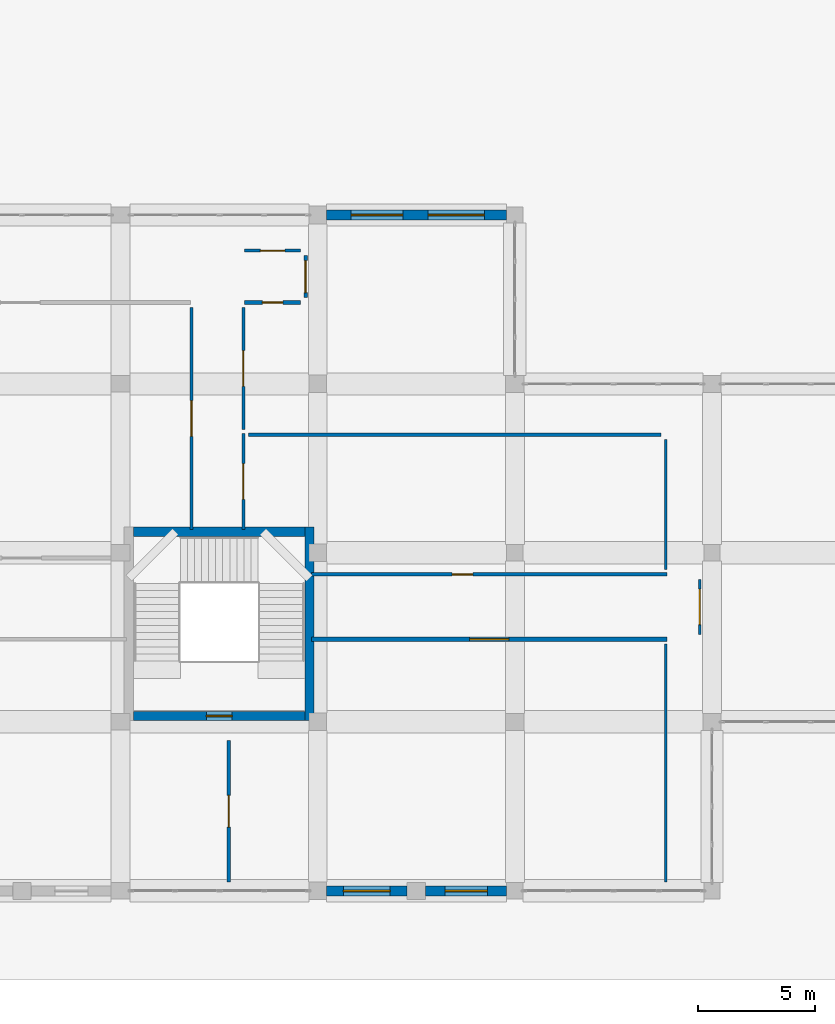
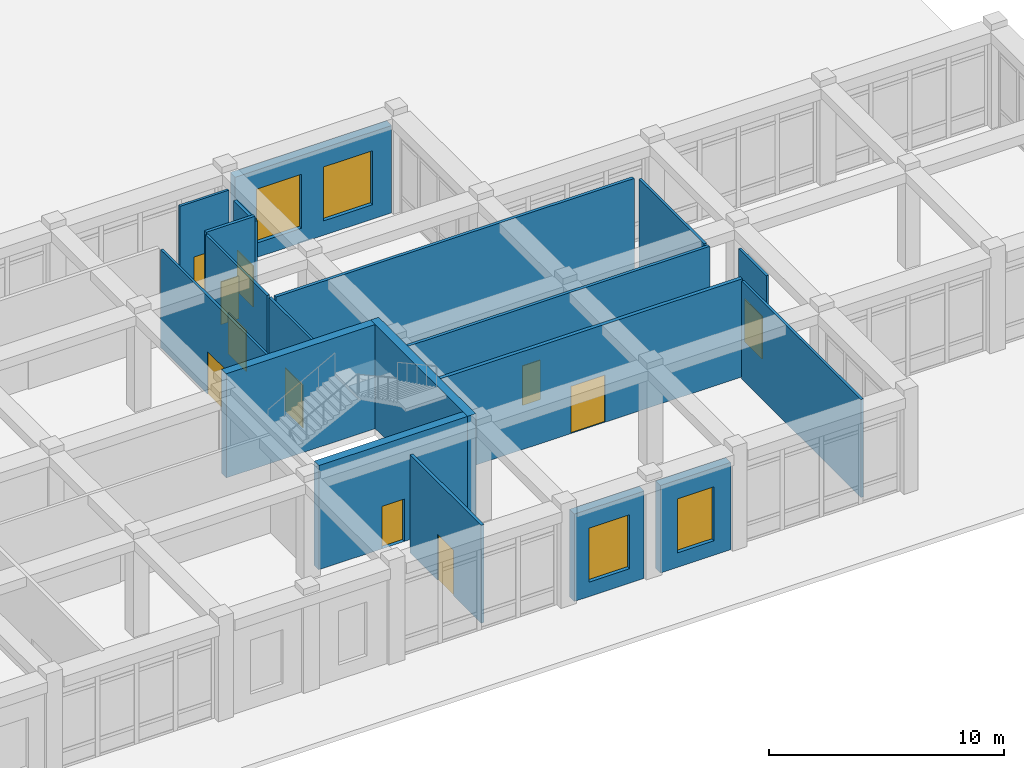
# One storey, part 76 of 84: 19 walls, 11 doors, 4 windows, 15 openings.
"""IFC4 building model written with IfcOpenShell, lengths in metres."""

from ifc_helpers import new_model, si_unit, derived_unit, direction, frame, frame_2d, origin, place, context, subcontext, project, spatial, rectangle, extrude, material, layer, layer_set, type_object, element, fill, save


model = new_model("IFC4")

# Units and contexts
model_context = context("Model", 3, precision=1e-05, world=origin(), true_north=direction((0.0, 1.0)))
body_context = subcontext(model_context, "Body", "Model", "MODEL_VIEW")
ifc_project = project(units=[si_unit("LENGTHUNIT", "METRE"), si_unit("AREAUNIT", "SQUARE_METRE"), si_unit("VOLUMEUNIT", "CUBIC_METRE"), si_unit("PLANEANGLEUNIT", "RADIAN"), si_unit("MASSUNIT", "GRAM", prefix="KILO"), derived_unit("THERMALTRANSMITTANCEUNIT", [(si_unit("POWERUNIT", "WATT"), 1), (si_unit("LENGTHUNIT", "METRE"), -2), (si_unit("THERMODYNAMICTEMPERATUREUNIT", "KELVIN"), -1)])], contexts=[model_context])

# Site, building, storey
site_placement = place(None, origin())
site = spatial("IfcSite", under=ifc_project, at=site_placement, CompositionType="ELEMENT")
building_placement = place(site_placement, origin())
building = spatial("IfcBuilding", under=site, at=building_placement, Name="Veybourne Emporium", CompositionType="ELEMENT")
storey_placement = place(building_placement, origin())
storey = spatial("IfcBuildingStorey", under=building, at=storey_placement, Name="L00", CompositionType="ELEMENT", Elevation=0.0)

# Wall, opening, window
ifc_material_1 = material(Name="Honed Black Granite Plinth", Category="masonry")
ifc_layer_1 = layer(ifc_material_1, 0.419921875)
ifc_layer_set_1 = layer_set([ifc_layer_1], Name="Honed Black Granite Plinth")
wall_type_1 = type_object("IfcWallType", Name="ExtWall_EW-02", PredefinedType="SOLIDWALL", material=ifc_layer_set_1)
wall_1_placement = place(storey_placement, frame((142.449951171875, 0.0, 0.0), z_axis=(0.0, 0.0, 1.0), x_axis=(-1.0, 0.0, 0.0)))
wall_1 = element("IfcWall", 1, at=wall_1_placement, inside=storey, type_object=wall_type_1, Name="L00 Portland stone external wall 067A", PredefinedType="SOLIDWALL", context=body_context, shape_type="SweptSolid", body=[
    extrude(rectangle(XDim=3.449951171875, YDim=0.419921875, at=frame_2d((1.72509765625, 0.0))), origin(), (0.0, 0.0, 1.0), 4.530029296875),
])
opening_1_placement = place(wall_1_placement, frame((0.824951171875, 0.0, 0.75)))
opening_1 = element("IfcOpeningElement", 2, at=opening_1_placement, cuts=wall_1, Name="Opening W-44", PredefinedType="OPENING", context=body_context, shape_type="SweptSolid", body=[
    extrude(rectangle(XDim=1.800048828125, YDim=2.800048828125, at=frame_2d((0.89990234375, 1.39990234375))), frame((0.0, 0.22998046875, 0.0), z_axis=(0.0, -1.0, 0.0), x_axis=(1.0, 0.0, 0.0)), (0.0, 0.0, 1.0), 0.4599609375),
])
ifc_material_2 = material(Name="Low-E Triple Glazing", Category="glass")
window_type_1 = type_object("IfcWindowType", Name="Win_W-44", PartitioningType="DOUBLE_PANEL_VERTICAL", PredefinedType="WINDOW", material=ifc_material_2)
window_1_placement = place(opening_1_placement, origin())
window_1 = element("IfcWindow", 3, at=window_1_placement, inside=storey, type_object=window_type_1, Name="L00 tripartite bronze casement window W-44 (67A)", OverallHeight=2.800048828125, OverallWidth=1.800048828125, PartitioningType="DOUBLE_PANEL_VERTICAL", PredefinedType="WINDOW", context=body_context, shape_type="SweptSolid", body=[
    extrude(rectangle(XDim=1.800048828125, YDim=2.800048828125, at=frame_2d((0.89990234375, 1.39990234375))), frame((0.0, 0.030029296875, 0.0), z_axis=(0.0, -1.0, 0.0), x_axis=(1.0, 0.0, 0.0)), (0.0, 0.0, 1.0), 0.06005859375),
])
fill(opening_1, window_1)

wall_2_placement = place(storey_placement, frame((138.199951171875, 0.0, 0.0), z_axis=(0.0, 0.0, 1.0), x_axis=(-1.0, 0.0, 0.0)))
wall_2 = element("IfcWall", 4, at=wall_2_placement, inside=storey, type_object=wall_type_1, Name="L00 Portland stone external wall 067B", PredefinedType="SOLIDWALL", context=body_context, shape_type="SweptSolid", body=[
    extrude(rectangle(XDim=3.425048828125, YDim=0.419921875, at=frame_2d((1.71240234375, 0.0))), origin(), (0.0, 0.0, 1.0), 4.530029296875),
])
opening_2_placement = place(wall_2_placement, frame((0.71240234375, 0.0, 0.75)))
opening_2 = element("IfcOpeningElement", 5, at=opening_2_placement, cuts=wall_2, Name="Opening W-45", PredefinedType="OPENING", context=body_context, shape_type="SweptSolid", body=[
    extrude(rectangle(XDim=2.0, YDim=2.800048828125, at=frame_2d((1.0, 1.39990234375))), frame((0.0, 0.22998046875, 0.0), z_axis=(0.0, -1.0, 0.0), x_axis=(1.0, 0.0, 0.0)), (0.0, 0.0, 1.0), 0.4599609375),
])
window_type_2 = type_object("IfcWindowType", Name="Win_W-45", PartitioningType="TRIPLE_PANEL_VERTICAL", PredefinedType="WINDOW", material=ifc_material_2)
window_2_placement = place(opening_2_placement, origin())
window_2 = element("IfcWindow", 6, at=window_2_placement, inside=storey, type_object=window_type_2, Name="L00 tripartite bronze casement window W-45 (67B)", OverallHeight=2.800048828125, OverallWidth=2.0, PartitioningType="TRIPLE_PANEL_VERTICAL", PredefinedType="WINDOW", context=body_context, shape_type="SweptSolid", body=[
    extrude(rectangle(XDim=2.0, YDim=2.800048828125, at=frame_2d((1.0, 1.39990234375))), frame((0.0, 0.030029296875, 0.0), z_axis=(0.0, -1.0, 0.0), x_axis=(1.0, 0.0, 0.0)), (0.0, 0.0, 1.0), 0.06005859375),
])
fill(opening_2, window_2)

# Wall, openings, windows
wall_3_placement = place(storey_placement, frame((134.77490234375, 28.800048828125, 0.0), z_axis=(0.0, 0.0, 1.0), x_axis=(1.0, 0.0, 0.0)))
wall_3 = element("IfcWall", 7, at=wall_3_placement, inside=storey, type_object=wall_type_1, Name="L00 Portland stone external wall 069", PredefinedType="SOLIDWALL", context=body_context, shape_type="SweptSolid", body=[
    extrude(rectangle(XDim=7.675048828125, YDim=0.419921875, at=frame_2d((3.83740234375, 0.0))), origin(), (0.0, 0.0, 1.0), 4.530029296875),
])
opening_3_placement = place(wall_3_placement, frame((1.049072265625, 0.0, 0.75)))
opening_3 = element("IfcOpeningElement", 8, at=opening_3_placement, cuts=wall_3, Name="Opening W-46", PredefinedType="OPENING", context=body_context, shape_type="SweptSolid", body=[
    extrude(rectangle(XDim=2.199951171875, YDim=2.800048828125, at=frame_2d((1.10009765625, 1.39990234375))), frame((0.0, 0.22998046875, 0.0), z_axis=(0.0, -1.0, 0.0), x_axis=(1.0, 0.0, 0.0)), (0.0, 0.0, 1.0), 0.4599609375),
])
opening_4_placement = place(wall_3_placement, frame((4.325927734375, 0.0, 0.75)))
opening_4 = element("IfcOpeningElement", 9, at=opening_4_placement, cuts=wall_3, Name="Opening W-47", PredefinedType="OPENING", context=body_context, shape_type="SweptSolid", body=[
    extrude(rectangle(XDim=2.39990234375, YDim=2.800048828125, at=frame_2d((1.199951171875, 1.39990234375))), frame((0.0, 0.22998046875, 0.0), z_axis=(0.0, -1.0, 0.0), x_axis=(1.0, 0.0, 0.0)), (0.0, 0.0, 1.0), 0.4599609375),
])
window_type_3 = type_object("IfcWindowType", Name="Win_W-46", PartitioningType="TRIPLE_PANEL_VERTICAL", PredefinedType="WINDOW", material=ifc_material_2)
window_3_placement = place(opening_3_placement, origin())
window_3 = element("IfcWindow", 10, at=window_3_placement, inside=storey, type_object=window_type_3, Name="L00 tripartite bronze casement window W-46 (69.1)", OverallHeight=2.800048828125, OverallWidth=2.199951171875, PartitioningType="TRIPLE_PANEL_VERTICAL", PredefinedType="WINDOW", context=body_context, shape_type="SweptSolid", body=[
    extrude(rectangle(XDim=2.199951171875, YDim=2.800048828125, at=frame_2d((1.10009765625, 1.39990234375))), frame((0.0, 0.030029296875, 0.0), z_axis=(0.0, -1.0, 0.0), x_axis=(1.0, 0.0, 0.0)), (0.0, 0.0, 1.0), 0.06005859375),
])
fill(opening_3, window_3)
window_type_4 = type_object("IfcWindowType", Name="Win_W-47", PartitioningType="TRIPLE_PANEL_VERTICAL", PredefinedType="WINDOW", material=ifc_material_2)
window_4_placement = place(opening_4_placement, origin())
window_4 = element("IfcWindow", 11, at=window_4_placement, inside=storey, type_object=window_type_4, Name="L00 tripartite bronze casement window W-47 (69.2)", OverallHeight=2.800048828125, OverallWidth=2.39990234375, PartitioningType="TRIPLE_PANEL_VERTICAL", PredefinedType="WINDOW", context=body_context, shape_type="SweptSolid", body=[
    extrude(rectangle(XDim=2.39990234375, YDim=2.800048828125, at=frame_2d((1.199951171875, 1.39990234375))), frame((0.0, 0.030029296875, 0.0), z_axis=(0.0, -1.0, 0.0), x_axis=(1.0, 0.0, 0.0)), (0.0, 0.0, 1.0), 0.06005859375),
])
fill(opening_4, window_4)

# Wall, opening, door
ifc_material_3 = material(Name="Concrete C40/50", Category="concrete")
ifc_layer_2 = layer(ifc_material_3, 0.39990234375)
ifc_layer_set_2 = layer_set([ifc_layer_2], Name="Concrete C40/50")
wall_type_2 = type_object("IfcWallType", Name="IntWall_CW-01", PredefinedType="SHEAR", material=ifc_layer_set_2)
wall_4_placement = place(storey_placement, frame((133.85009765625, 7.449951171875, 0.0), z_axis=(0.0, 0.0, 1.0), x_axis=(-1.0, 0.0, 0.0)))
wall_4 = element("IfcWall", 12, at=wall_4_placement, inside=storey, type_object=wall_type_2, Name="Core stair ST-06 south shear wall (L00)", PredefinedType="SHEAR", context=body_context, shape_type="SweptSolid", body=[
    extrude(rectangle(XDim=7.300048828125, YDim=0.39990234375, at=frame_2d((3.64990234375, 0.0))), origin(), (0.0, 0.0, 1.0), 5.39990234375),
])
opening_5_placement = place(wall_4_placement, frame((3.10009765625, 0.0, 0.0)))
opening_5 = element("IfcOpeningElement", 13, at=opening_5_placement, cuts=wall_4, Name="Opening FD-01", PredefinedType="OPENING", context=body_context, shape_type="SweptSolid", body=[
    extrude(rectangle(XDim=1.10009765625, YDim=2.199951171875, at=frame_2d((0.550048828125, 1.10009765625))), frame((0.0, 0.219970703125, 0.0), z_axis=(0.0, -1.0, 0.0), x_axis=(1.0, 0.0, 0.0)), (0.0, 0.0, 1.0), 0.43994140625),
])
ifc_material_4 = material(Name="Patinated Architectural Bronze", Category="bronze")
door_type_1 = type_object("IfcDoorType", Name="FireDoor_FD-01", OperationType="NOTDEFINED", PredefinedType="DOOR", material=ifc_material_4)
door_1_placement = place(opening_5_placement, origin())
door_1 = element("IfcDoor", 14, at=door_1_placement, inside=storey, type_object=door_type_1, Name="Stair ST-06 fire door (L00)", OperationType="SINGLE_SWING_LEFT", OverallHeight=2.199951171875, OverallWidth=1.10009765625, PredefinedType="DOOR", context=body_context, shape_type="SweptSolid", body=[
    extrude(rectangle(XDim=1.10009765625, YDim=2.199951171875, at=frame_2d((0.550048828125, 1.10009765625))), frame((0.0, 0.02490234375, 0.0), z_axis=(0.0, -1.0, 0.0), x_axis=(1.0, 0.0, 0.0)), (0.0, 0.0, 1.0), 0.050048828125),
])
fill(opening_5, door_1)

# Walls
wall_5_placement = place(storey_placement, frame((126.550048828125, 15.300048828125, 0.0), z_axis=(0.0, 0.0, 1.0), x_axis=(1.0, 0.0, 0.0)))
element("IfcWall", 15, at=wall_5_placement, inside=storey, type_object=wall_type_2, Name="Core stair ST-06 north shear wall (L00)", PredefinedType="SHEAR", context=body_context, shape_type="SweptSolid", body=[
    extrude(rectangle(XDim=7.300048828125, YDim=0.39990234375, at=frame_2d((3.64990234375, 0.0))), origin(), (0.0, 0.0, 1.0), 5.39990234375),
])
wall_6_placement = place(storey_placement, frame((134.050048828125, 7.25, 0.0), z_axis=(0.0, 0.0, 1.0), x_axis=(0.0, 1.0, 0.0)))
element("IfcWall", 16, at=wall_6_placement, inside=storey, type_object=wall_type_2, Name="Core stair ST-06 east shear wall (L00)", PredefinedType="SHEAR", context=body_context, shape_type="SweptSolid", body=[
    extrude(rectangle(XDim=8.25, YDim=0.39990234375, at=frame_2d((4.125, 0.0))), origin(), (0.0, 0.0, 1.0), 5.39990234375),
])

# Wall, opening, door
ifc_material_5 = material(Name="Gypsum Acoustic Board", Category="gypsum")
ifc_layer_3 = layer(ifc_material_5, 0.179931640625)
ifc_layer_set_3 = layer_set([ifc_layer_3], Name="Gypsum Acoustic Board")
wall_type_3 = type_object("IfcWallType", Name="IntWall_IW-01", PredefinedType="PARTITIONING", material=ifc_layer_set_3)
wall_7_placement = place(storey_placement, frame((134.139892578125, 10.719970703125, 0.0), z_axis=(0.0, 0.0, 1.0), x_axis=(1.0, 0.0, 0.0)))
wall_7 = element("IfcWall", 17, at=wall_7_placement, inside=storey, type_object=wall_type_3, Name="L00 interior partition IW-01 #032", PredefinedType="PARTITIONING", context=body_context, shape_type="SweptSolid", body=[
    extrude(rectangle(XDim=15.13720703125, YDim=0.179931640625, at=frame_2d((7.568603515625, 0.0))), origin(), (0.0, 0.0, 1.0), 5.080078125),
])
opening_6_placement = place(wall_7_placement, frame((6.728515625, 0.0, 0.0)))
opening_6 = element("IfcOpeningElement", 18, at=opening_6_placement, cuts=wall_7, Name="Opening D-36", PredefinedType="OPENING", context=body_context, shape_type="SweptSolid", body=[
    extrude(rectangle(XDim=1.679931640625, YDim=2.449951171875, at=frame_2d((0.83984375, 1.22509765625))), frame((0.0, 0.10986328125, 0.0), z_axis=(0.0, -1.0, 0.0), x_axis=(1.0, 0.0, 0.0)), (0.0, 0.0, 1.0), 0.219970703125),
])
ifc_material_6 = material(Name="European Oak Veneer and Bronze", Category="wood")
door_type_2 = type_object("IfcDoorType", Name="IntDoor_D-36", OperationType="DOUBLE_DOOR_SINGLE_SWING", PredefinedType="DOOR", material=ifc_material_6)
door_2_placement = place(opening_6_placement, frame((1.679931640625, 0.0, 0.0), z_axis=(0.0, 0.0, 1.0), x_axis=(-1.0, 0.0, 0.0)))
door_2 = element("IfcDoor", 19, at=door_2_placement, inside=storey, type_object=door_type_2, Name="L00 interior door D-36 (PART-L00-032)", OperationType="DOUBLE_DOOR_SINGLE_SWING", OverallHeight=2.449951171875, OverallWidth=1.679931640625, PredefinedType="DOOR", context=body_context, shape_type="SweptSolid", body=[
    extrude(rectangle(XDim=1.679931640625, YDim=2.449951171875, at=frame_2d((0.83984375, 1.22509765625))), frame((0.0, 0.02490234375, 0.0), z_axis=(0.0, -1.0, 0.0), x_axis=(1.0, 0.0, 0.0)), (0.0, 0.0, 1.0), 0.050048828125),
])
fill(opening_6, door_2)

ifc_layer_4 = layer(ifc_material_5, 0.14990234375)
ifc_layer_set_4 = layer_set([ifc_layer_4], Name="Gypsum Acoustic Board")
wall_type_4 = type_object("IfcWallType", Name="IntWall_IW-02", PredefinedType="PARTITIONING", material=ifc_layer_set_4)
wall_8_placement = place(storey_placement, frame((134.139892578125, 13.47998046875, 0.0), z_axis=(0.0, 0.0, 1.0), x_axis=(1.0, 0.0, 0.0)))
wall_8 = element("IfcWall", 20, at=wall_8_placement, inside=storey, type_object=wall_type_4, Name="L00 interior partition IW-02 #033", PredefinedType="PARTITIONING", context=body_context, shape_type="SweptSolid", body=[
    extrude(rectangle(XDim=15.13720703125, YDim=0.14990234375, at=frame_2d((7.568603515625, 0.0))), origin(), (0.0, 0.0, 1.0), 5.080078125),
])
opening_7_placement = place(wall_8_placement, frame((5.98779296875, 0.0, 0.0)))
opening_7 = element("IfcOpeningElement", 21, at=opening_7_placement, cuts=wall_8, Name="Opening D-01", PredefinedType="OPENING", context=body_context, shape_type="SweptSolid", body=[
    extrude(rectangle(XDim=0.8798828125, YDim=2.050048828125, at=frame_2d((0.43994140625, 1.02490234375))), frame((0.0, 0.094970703125, 0.0), z_axis=(0.0, -1.0, 0.0), x_axis=(1.0, 0.0, 0.0)), (0.0, 0.0, 1.0), 0.18994140625),
])
door_type_3 = type_object("IfcDoorType", Name="IntDoor_D-01", OperationType="NOTDEFINED", PredefinedType="DOOR", material=ifc_material_6)
door_3_placement = place(opening_7_placement, origin())
door_3 = element("IfcDoor", 22, at=door_3_placement, inside=storey, type_object=door_type_3, Name="L00 interior door D-01 (PART-L00-033)", OperationType="SINGLE_SWING_LEFT", OverallHeight=2.050048828125, OverallWidth=0.8798828125, PredefinedType="DOOR", context=body_context, shape_type="SweptSolid", body=[
    extrude(rectangle(XDim=0.8798828125, YDim=2.050048828125, at=frame_2d((0.43994140625, 1.02490234375))), frame((0.0, 0.02490234375, 0.0), z_axis=(0.0, -1.0, 0.0), x_axis=(1.0, 0.0, 0.0)), (0.0, 0.0, 1.0), 0.050048828125),
])
fill(opening_7, door_3)

wall_9_placement = place(storey_placement, frame((130.613037109375, 0.3701171875, 0.0), z_axis=(0.0, 0.0, 1.0), x_axis=(0.0, 1.0, 0.0)))
wall_9 = element("IfcWall", 23, at=wall_9_placement, inside=storey, type_object=wall_type_4, Name="L00 interior partition IW-02 #096", PredefinedType="PARTITIONING", context=body_context, shape_type="SweptSolid", body=[
    extrude(rectangle(XDim=6.03955078125, YDim=0.14990234375, at=frame_2d((3.019775390625, 0.0))), origin(), (0.0, 0.0, 1.0), 5.080078125),
])
opening_8_placement = place(wall_9_placement, frame((2.33984375, 0.0, 0.0)))
opening_8 = element("IfcOpeningElement", 24, at=opening_8_placement, cuts=wall_9, Name="Opening D-28", PredefinedType="OPENING", context=body_context, shape_type="SweptSolid", body=[
    extrude(rectangle(XDim=1.360107421875, YDim=2.3701171875, at=frame_2d((0.68017578125, 1.18505859375))), frame((0.0, 0.094970703125, 0.0), z_axis=(0.0, -1.0, 0.0), x_axis=(1.0, 0.0, 0.0)), (0.0, 0.0, 1.0), 0.18994140625),
])
door_type_4 = type_object("IfcDoorType", Name="IntDoor_D-28", OperationType="NOTDEFINED", PredefinedType="DOOR", material=ifc_material_6)
door_4_placement = place(opening_8_placement, origin())
door_4 = element("IfcDoor", 25, at=door_4_placement, inside=storey, type_object=door_type_4, Name="L00 interior door D-28 (PART-L00-096)", OperationType="SINGLE_SWING_RIGHT", OverallHeight=2.3701171875, OverallWidth=1.360107421875, PredefinedType="DOOR", context=body_context, shape_type="SweptSolid", body=[
    extrude(rectangle(XDim=1.360107421875, YDim=2.3701171875, at=frame_2d((0.68017578125, 1.18505859375))), frame((0.0, 0.02490234375, 0.0), z_axis=(0.0, -1.0, 0.0), x_axis=(1.0, 0.0, 0.0)), (0.0, 0.0, 1.0), 0.050048828125),
])
fill(opening_8, door_4)

wall_10_placement = place(storey_placement, frame((131.280029296875, 25.070068359375, 0.0), z_axis=(0.0, 0.0, 1.0), x_axis=(1.0, 0.0, 0.0)))
wall_10 = element("IfcWall", 26, at=wall_10_placement, inside=storey, type_object=wall_type_4, Name="L00 interior partition IW-02 #153", PredefinedType="PARTITIONING", context=body_context, shape_type="SweptSolid", body=[
    extrude(rectangle(XDim=2.389892578125, YDim=0.14990234375, at=frame_2d((1.19482421875, 0.0))), origin(), (0.0, 0.0, 1.0), 5.080078125),
])
opening_9_placement = place(wall_10_placement, frame((0.7548828125, 0.0, 0.0)))
opening_9 = element("IfcOpeningElement", 27, at=opening_9_placement, cuts=wall_10, Name="Opening D-13", PredefinedType="OPENING", context=body_context, shape_type="SweptSolid", body=[
    extrude(rectangle(XDim=0.8798828125, YDim=2.2099609375, at=frame_2d((0.43994140625, 1.10498046875))), frame((0.0, 0.094970703125, 0.0), z_axis=(0.0, -1.0, 0.0), x_axis=(1.0, 0.0, 0.0)), (0.0, 0.0, 1.0), 0.18994140625),
])
door_type_5 = type_object("IfcDoorType", Name="IntDoor_D-13", OperationType="NOTDEFINED", PredefinedType="DOOR", material=ifc_material_6)
door_5_placement = place(opening_9_placement, frame((0.8798828125, 0.0, 0.0), z_axis=(0.0, 0.0, 1.0), x_axis=(-1.0, 0.0, 0.0)))
door_5 = element("IfcDoor", 28, at=door_5_placement, inside=storey, type_object=door_type_5, Name="L00 interior door D-13 (PART-L00-153)", OperationType="SINGLE_SWING_LEFT", OverallHeight=2.2099609375, OverallWidth=0.8798828125, PredefinedType="DOOR", context=body_context, shape_type="SweptSolid", body=[
    extrude(rectangle(XDim=0.8798828125, YDim=2.2099609375, at=frame_2d((0.43994140625, 1.10498046875))), frame((0.0, 0.02490234375, 0.0), z_axis=(0.0, -1.0, 0.0), x_axis=(1.0, 0.0, 0.0)), (0.0, 0.0, 1.0), 0.050048828125),
])
fill(opening_9, door_5)

wall_11_placement = place(storey_placement, frame((133.8798828125, 25.280029296875, 0.0), z_axis=(0.0, 0.0, 1.0), x_axis=(0.0, 1.0, 0.0)))
wall_11 = element("IfcWall", 29, at=wall_11_placement, inside=storey, type_object=wall_type_4, Name="L00 interior partition IW-02 #186", PredefinedType="PARTITIONING", context=body_context, shape_type="SweptSolid", body=[
    extrude(rectangle(XDim=1.7900390625, YDim=0.14990234375, at=frame_2d((0.89501953125, 0.0))), origin(), (0.0, 0.0, 1.0), 4.580078125),
])
opening_10_placement = place(wall_11_placement, frame((0.215087890625, 0.0, 0.0)))
opening_10 = element("IfcOpeningElement", 30, at=opening_10_placement, cuts=wall_11, Name="Opening D-10", PredefinedType="OPENING", context=body_context, shape_type="SweptSolid", body=[
    extrude(rectangle(XDim=1.360107421875, YDim=2.1298828125, at=frame_2d((0.68017578125, 1.06494140625))), frame((0.0, 0.094970703125, 0.0), z_axis=(0.0, -1.0, 0.0), x_axis=(1.0, 0.0, 0.0)), (0.0, 0.0, 1.0), 0.18994140625),
])
door_type_6 = type_object("IfcDoorType", Name="IntDoor_D-10", OperationType="NOTDEFINED", PredefinedType="DOOR", material=ifc_material_6)
door_6_placement = place(opening_10_placement, frame((1.360107421875, 0.0, 0.0), z_axis=(0.0, 0.0, 1.0), x_axis=(-1.0, 0.0, 0.0)))
door_6 = element("IfcDoor", 31, at=door_6_placement, inside=storey, type_object=door_type_6, Name="L00 interior door D-10 (PART-L00-186)", OperationType="SINGLE_SWING_RIGHT", OverallHeight=2.1298828125, OverallWidth=1.360107421875, PredefinedType="DOOR", context=body_context, shape_type="SweptSolid", body=[
    extrude(rectangle(XDim=1.360107421875, YDim=2.1298828125, at=frame_2d((0.68017578125, 1.06494140625))), frame((0.0, 0.02490234375, 0.0), z_axis=(0.0, -1.0, 0.0), x_axis=(1.0, 0.0, 0.0)), (0.0, 0.0, 1.0), 0.050048828125),
])
fill(opening_10, door_6)

# Wall
wall_12_placement = place(storey_placement, frame((131.43994140625, 19.43994140625, 0.0), z_axis=(0.0, 0.0, 1.0), x_axis=(1.0, 0.0, 0.0)))
element("IfcWall", 32, at=wall_12_placement, inside=storey, type_object=wall_type_4, Name="L00 interior partition IW-02 #204", PredefinedType="PARTITIONING", context=body_context, shape_type="SweptSolid", body=[
    extrude(rectangle(XDim=17.5771484375, YDim=0.14990234375, at=frame_2d((8.78857421875, 0.0))), origin(), (0.0, 0.0, 1.0), 5.080078125),
])

# Wall, opening, door
ifc_layer_5 = layer(ifc_material_5, 0.1201171875)
ifc_layer_set_5 = layer_set([ifc_layer_5], Name="Gypsum Acoustic Board")
wall_type_5 = type_object("IfcWallType", Name="IntWall_IW-03", PredefinedType="PARTITIONING", material=ifc_layer_set_5)
wall_13_placement = place(storey_placement, frame((129.02001953125, 15.389892578125, 0.0), z_axis=(0.0, 0.0, 1.0), x_axis=(0.0, 1.0, 0.0)))
wall_13 = element("IfcWall", 33, at=wall_13_placement, inside=storey, type_object=wall_type_5, Name="L00 interior partition IW-03 #085", PredefinedType="PARTITIONING", context=body_context, shape_type="SweptSolid", body=[
    extrude(rectangle(XDim=9.47021484375, YDim=0.1201171875, at=frame_2d((4.735107421875, 0.0))), origin(), (0.0, 0.0, 1.0), 5.080078125),
])
opening_11_placement = place(wall_13_placement, frame((3.97509765625, 0.0, 0.0)))
opening_11 = element("IfcOpeningElement", 34, at=opening_11_placement, cuts=wall_13, Name="Opening D-17", PredefinedType="OPENING", context=body_context, shape_type="SweptSolid", body=[
    extrude(rectangle(XDim=1.52001953125, YDim=2.2099609375, at=frame_2d((0.760009765625, 1.10498046875))), frame((0.0, 0.080078125, 0.0), z_axis=(0.0, -1.0, 0.0), x_axis=(1.0, 0.0, 0.0)), (0.0, 0.0, 1.0), 0.16015625),
])
door_type_7 = type_object("IfcDoorType", Name="IntDoor_D-17", OperationType="NOTDEFINED", PredefinedType="DOOR", material=ifc_material_6)
door_7_placement = place(opening_11_placement, origin())
door_7 = element("IfcDoor", 35, at=door_7_placement, inside=storey, type_object=door_type_7, Name="L00 interior door D-17 (PART-L00-085)", OperationType="SINGLE_SWING_LEFT", OverallHeight=2.2099609375, OverallWidth=1.52001953125, PredefinedType="DOOR", context=body_context, shape_type="SweptSolid", body=[
    extrude(rectangle(XDim=1.52001953125, YDim=2.2099609375, at=frame_2d((0.760009765625, 1.10498046875))), frame((0.0, 0.02490234375, 0.0), z_axis=(0.0, -1.0, 0.0), x_axis=(1.0, 0.0, 0.0)), (0.0, 0.0, 1.0), 0.050048828125),
])
fill(opening_11, door_7)

wall_14_placement = place(storey_placement, frame((131.22998046875, 19.64990234375, 0.0), z_axis=(0.0, 0.0, 1.0), x_axis=(0.0, 1.0, 0.0)))
wall_14 = element("IfcWall", 36, at=wall_14_placement, inside=storey, type_object=wall_type_5, Name="L00 interior partition IW-03 #115", PredefinedType="PARTITIONING", context=body_context, shape_type="SweptSolid", body=[
    extrude(rectangle(XDim=5.210205078125, YDim=0.1201171875, at=frame_2d((2.60498046875, 0.0))), origin(), (0.0, 0.0, 1.0), 5.080078125),
])
opening_12_placement = place(wall_14_placement, frame((1.844970703125, 0.0, 0.0)))
opening_12 = element("IfcOpeningElement", 37, at=opening_12_placement, cuts=wall_14, Name="Opening D-11", PredefinedType="OPENING", context=body_context, shape_type="SweptSolid", body=[
    extrude(rectangle(XDim=1.52001953125, YDim=2.1298828125, at=frame_2d((0.760009765625, 1.06494140625))), frame((0.0, 0.080078125, 0.0), z_axis=(0.0, -1.0, 0.0), x_axis=(1.0, 0.0, 0.0)), (0.0, 0.0, 1.0), 0.16015625),
])
door_type_8 = type_object("IfcDoorType", Name="IntDoor_D-11", OperationType="NOTDEFINED", PredefinedType="DOOR", material=ifc_material_6)
door_8_placement = place(opening_12_placement, frame((1.52001953125, 0.0, 0.0), z_axis=(0.0, 0.0, 1.0), x_axis=(-1.0, 0.0, 0.0)))
door_8 = element("IfcDoor", 38, at=door_8_placement, inside=storey, type_object=door_type_8, Name="L00 interior door D-11 (PART-L00-115)", OperationType="SINGLE_SWING_LEFT", OverallHeight=2.1298828125, OverallWidth=1.52001953125, PredefinedType="DOOR", context=body_context, shape_type="SweptSolid", body=[
    extrude(rectangle(XDim=1.52001953125, YDim=2.1298828125, at=frame_2d((0.760009765625, 1.06494140625))), frame((0.0, 0.02490234375, 0.0), z_axis=(0.0, -1.0, 0.0), x_axis=(1.0, 0.0, 0.0)), (0.0, 0.0, 1.0), 0.050048828125),
])
fill(opening_12, door_8)

wall_15_placement = place(storey_placement, frame((131.22998046875, 15.389892578125, 0.0), z_axis=(0.0, 0.0, 1.0), x_axis=(0.0, 1.0, 0.0)))
wall_15 = element("IfcWall", 39, at=wall_15_placement, inside=storey, type_object=wall_type_5, Name="L00 interior partition IW-03 #121", PredefinedType="PARTITIONING", context=body_context, shape_type="SweptSolid", body=[
    extrude(rectangle(XDim=4.10009765625, YDim=0.1201171875, at=frame_2d((2.050048828125, 0.0))), origin(), (0.0, 0.0, 1.0), 5.080078125),
])
opening_13_placement = place(wall_15_placement, frame((1.2900390625, 0.0, 0.0)))
opening_13 = element("IfcOpeningElement", 40, at=opening_13_placement, cuts=wall_15, Name="Opening D-17", PredefinedType="OPENING", context=body_context, shape_type="SweptSolid", body=[
    extrude(rectangle(XDim=1.52001953125, YDim=2.2099609375, at=frame_2d((0.760009765625, 1.10498046875))), frame((0.0, 0.080078125, 0.0), z_axis=(0.0, -1.0, 0.0), x_axis=(1.0, 0.0, 0.0)), (0.0, 0.0, 1.0), 0.16015625),
])
door_9_placement = place(opening_13_placement, frame((1.52001953125, 0.0, 0.0), z_axis=(0.0, 0.0, 1.0), x_axis=(-1.0, 0.0, 0.0)))
door_9 = element("IfcDoor", 41, at=door_9_placement, inside=storey, type_object=door_type_7, Name="L00 interior door D-17 (PART-L00-121)", OperationType="SINGLE_SWING_RIGHT", OverallHeight=2.2099609375, OverallWidth=1.52001953125, PredefinedType="DOOR", context=body_context, shape_type="SweptSolid", body=[
    extrude(rectangle(XDim=1.52001953125, YDim=2.2099609375, at=frame_2d((0.760009765625, 1.10498046875))), frame((0.0, 0.02490234375, 0.0), z_axis=(0.0, -1.0, 0.0), x_axis=(1.0, 0.0, 0.0)), (0.0, 0.0, 1.0), 0.050048828125),
])
fill(opening_13, door_9)

wall_16_placement = place(storey_placement, frame((131.280029296875, 27.280029296875, 0.0), z_axis=(0.0, 0.0, 1.0), x_axis=(1.0, 0.0, 0.0)))
wall_16 = element("IfcWall", 42, at=wall_16_placement, inside=storey, type_object=wall_type_5, Name="L00 interior partition IW-03 #154", PredefinedType="PARTITIONING", context=body_context, shape_type="SweptSolid", body=[
    extrude(rectangle(XDim=2.389892578125, YDim=0.1201171875, at=frame_2d((1.19482421875, 0.0))), origin(), (0.0, 0.0, 1.0), 5.080078125),
])
opening_14_placement = place(wall_16_placement, frame((0.675048828125, 0.0, 0.0)))
opening_14 = element("IfcOpeningElement", 43, at=opening_14_placement, cuts=wall_16, Name="Opening D-14", PredefinedType="OPENING", context=body_context, shape_type="SweptSolid", body=[
    extrude(rectangle(XDim=1.0400390625, YDim=2.2099609375, at=frame_2d((0.52001953125, 1.10498046875))), frame((0.0, 0.080078125, 0.0), z_axis=(0.0, -1.0, 0.0), x_axis=(1.0, 0.0, 0.0)), (0.0, 0.0, 1.0), 0.16015625),
])
door_type_9 = type_object("IfcDoorType", Name="IntDoor_D-14", OperationType="NOTDEFINED", PredefinedType="DOOR", material=ifc_material_6)
door_10_placement = place(opening_14_placement, origin())
door_10 = element("IfcDoor", 44, at=door_10_placement, inside=storey, type_object=door_type_9, Name="L00 interior door D-14 (PART-L00-154)", OperationType="SINGLE_SWING_RIGHT", OverallHeight=2.2099609375, OverallWidth=1.0400390625, PredefinedType="DOOR", context=body_context, shape_type="SweptSolid", body=[
    extrude(rectangle(XDim=1.0400390625, YDim=2.2099609375, at=frame_2d((0.52001953125, 1.10498046875))), frame((0.0, 0.02490234375, 0.0), z_axis=(0.0, -1.0, 0.0), x_axis=(1.0, 0.0, 0.0)), (0.0, 0.0, 1.0), 0.050048828125),
])
fill(opening_14, door_10)

wall_17_placement = place(storey_placement, frame((150.679931640625, 10.929931640625, 0.0), z_axis=(0.0, 0.0, 1.0), x_axis=(0.0, 1.0, 0.0)))
wall_17 = element("IfcWall", 45, at=wall_17_placement, inside=storey, type_object=wall_type_5, Name="L00 interior partition IW-03 #157", PredefinedType="PARTITIONING", context=body_context, shape_type="SweptSolid", body=[
    extrude(rectangle(XDim=2.340087890625, YDim=0.1201171875, at=frame_2d((1.169921875, 0.0))), origin(), (0.0, 0.0, 1.0), 4.580078125),
])
opening_15_placement = place(wall_17_placement, frame((0.409912109375, 0.0, 0.0)))
opening_15 = element("IfcOpeningElement", 46, at=opening_15_placement, cuts=wall_17, Name="Opening D-17", PredefinedType="OPENING", context=body_context, shape_type="SweptSolid", body=[
    extrude(rectangle(XDim=1.52001953125, YDim=2.2099609375, at=frame_2d((0.760009765625, 1.10498046875))), frame((0.0, 0.080078125, 0.0), z_axis=(0.0, -1.0, 0.0), x_axis=(1.0, 0.0, 0.0)), (0.0, 0.0, 1.0), 0.16015625),
])
door_11_placement = place(opening_15_placement, frame((1.52001953125, 0.0, 0.0), z_axis=(0.0, 0.0, 1.0), x_axis=(-1.0, 0.0, 0.0)))
door_11 = element("IfcDoor", 47, at=door_11_placement, inside=storey, type_object=door_type_7, Name="L00 interior door D-17 (PART-L00-157)", OperationType="SINGLE_SWING_RIGHT", OverallHeight=2.2099609375, OverallWidth=1.52001953125, PredefinedType="DOOR", context=body_context, shape_type="SweptSolid", body=[
    extrude(rectangle(XDim=1.52001953125, YDim=2.2099609375, at=frame_2d((0.760009765625, 1.10498046875))), frame((0.0, 0.02490234375, 0.0), z_axis=(0.0, -1.0, 0.0), x_axis=(1.0, 0.0, 0.0)), (0.0, 0.0, 1.0), 0.050048828125),
])
fill(opening_15, door_11)

# Walls
wall_18_placement = place(storey_placement, frame((149.22705078125, 0.3701171875, 0.0), z_axis=(0.0, 0.0, 1.0), x_axis=(0.0, 1.0, 0.0)))
element("IfcWall", 48, at=wall_18_placement, inside=storey, type_object=wall_type_5, Name="L00 interior partition IW-03 #211", PredefinedType="PARTITIONING", context=body_context, shape_type="SweptSolid", body=[
    extrude(rectangle(XDim=10.139892578125, YDim=0.1201171875, at=frame_2d((5.06982421875, 0.0))), origin(), (0.0, 0.0, 1.0), 5.080078125),
])
wall_19_placement = place(storey_placement, frame((149.22705078125, 13.68994140625, 0.0), z_axis=(0.0, 0.0, 1.0), x_axis=(0.0, 1.0, 0.0)))
element("IfcWall", 49, at=wall_19_placement, inside=storey, type_object=wall_type_5, Name="L00 interior partition IW-03 #217", PredefinedType="PARTITIONING", context=body_context, shape_type="SweptSolid", body=[
    extrude(rectangle(XDim=5.5400390625, YDim=0.1201171875, at=frame_2d((2.77001953125, 0.0))), origin(), (0.0, 0.0, 1.0), 5.080078125),
])

save(model, "model.ifc")
